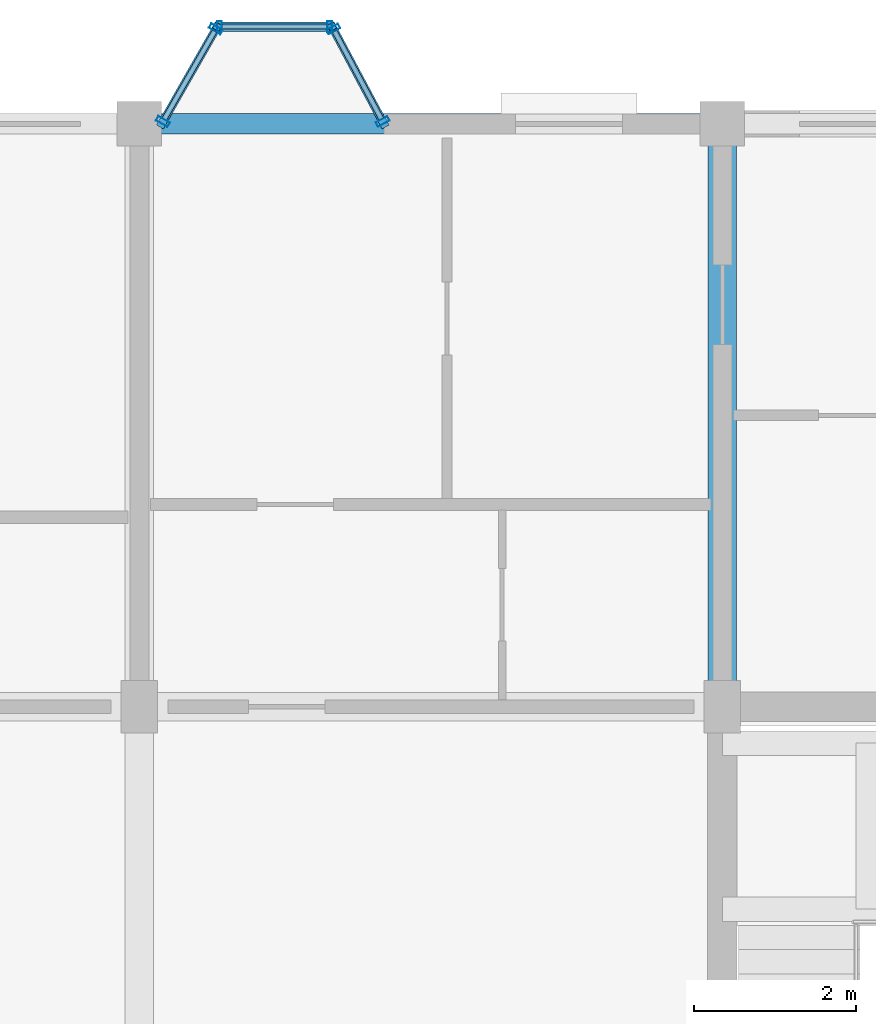
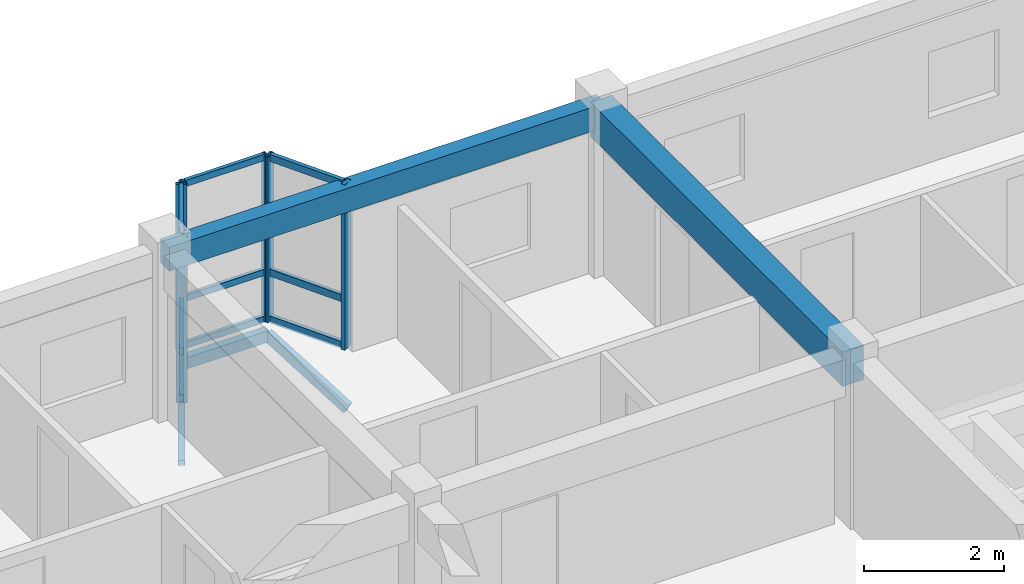
# One storey, part 42 of 77: 18 members, 2 beams, 3 elements without a shape of their own.
"""IFC4 building model written with IfcOpenShell, lengths in metres."""

from ifc_helpers import new_model, si_unit, direction, frame, origin, origin_2d, place, context, subcontext, project, spatial, rectangle, hollow_rectangle, extrude, material, layer, layer_set, material_profile, profile_set, type_object, element, aggregate, save


model = new_model("IFC4")

# Units and contexts
model_context = context("Model", 3, precision=1e-05, world=origin(), true_north=direction((0.0, 1.0)))
body_context = subcontext(model_context, "Body", "Model", "MODEL_VIEW")
ifc_project = project(units=[si_unit("LENGTHUNIT", "METRE"), si_unit("AREAUNIT", "SQUARE_METRE"), si_unit("VOLUMEUNIT", "CUBIC_METRE"), si_unit("PLANEANGLEUNIT", "RADIAN"), si_unit("MASSUNIT", "GRAM", prefix="KILO"), si_unit("THERMODYNAMICTEMPERATUREUNIT", "KELVIN"), si_unit("POWERUNIT", "WATT")], contexts=[model_context])

# Site, building, storey
site_placement = place(None, origin())
site = spatial("IfcSite", under=ifc_project, at=site_placement, CompositionType="ELEMENT")
building_placement = place(site_placement, origin())
building = spatial("IfcBuilding", under=site, at=building_placement, Name="Tavuni Mirador Residences", CompositionType="ELEMENT")
storey_placement = place(building_placement, frame((0.0, 0.0, 17.10009765625)))
storey = spatial("IfcBuildingStorey", under=building, at=storey_placement, Name="L05", CompositionType="ELEMENT", Elevation=17.10009765625)

# Beams
ifc_material_1 = material(Name="Precast concrete C40/50", Category="concrete")
ifc_material_profile_1 = material_profile(ifc_material_1, rectangle(XDim=0.35009765625, YDim=0.60009765625, at=origin_2d()), Name="PC 350x600", Category="concrete")
ifc_profile_set_1 = profile_set([ifc_material_profile_1], Name="Precast concrete C40/50")
beam_type_1 = type_object("IfcBeamType", Name="BT-B600", PredefinedType="BEAM", material=ifc_profile_set_1)
beam_1_placement = place(storey_placement, frame((25.199951171875, 165.60009765625, 2.5849609375), z_axis=(0.0, 1.0, 0.0), x_axis=(-1.0, 0.0, 0.0)))
element("IfcBeam", 1, at=beam_1_placement, inside=storey, type_object=beam_type_1, Name="BMY-BLK-C-L05-02-03", PredefinedType="BEAM", context=body_context, shape_type="SweptSolid", body=[
    extrude(rectangle(XDim=0.35009765625, YDim=0.60009765625, at=origin_2d()), origin(), (0.0, 0.0, 1.0), 7.199951171875),
])
ifc_material_profile_2 = material_profile(ifc_material_1, rectangle(XDim=0.25, YDim=0.419921875, at=origin_2d()), Name="PC 250x420", Category="concrete")
ifc_profile_set_2 = profile_set([ifc_material_profile_2], Name="Precast concrete C40/50")
beam_type_2 = type_object("IfcBeamType", Name="BT-SP420", PredefinedType="SPANDREL", material=ifc_profile_set_2)
beam_2_placement = place(storey_placement, frame((18.0, 172.800048828125, 2.6748046875), z_axis=(1.0, 0.0, 0.0), x_axis=(0.0, 1.0, 0.0)))
element("IfcBeam", 2, at=beam_2_placement, inside=storey, type_object=beam_type_2, Name="BMX-BLK-C-L05-01-04", PredefinedType="SPANDREL", context=body_context, shape_type="SweptSolid", body=[
    extrude(rectangle(XDim=0.25, YDim=0.419921875, at=origin_2d()), origin(), (0.0, 0.0, 1.0), 7.199951171875),
])

# Curtain wall, members
ifc_material_2 = material(Name="Anodised aluminium", Category="aluminium")
ifc_layer_1 = layer(ifc_material_2, 0.175048828125, Name="Anodised aluminium", Category="aluminium")
ifc_layer_set_1 = layer_set([ifc_layer_1], Name="Anodised aluminium")
curtain_wall_type_1 = type_object("IfcCurtainWallType", Name="CWT-MIR-C", PredefinedType="NOTDEFINED", material=ifc_layer_set_1)
curtain_wall_1_placement = place(storey_placement, origin())
curtain_wall_1 = element("IfcCurtainWall", 3, at=curtain_wall_1_placement, inside=storey, type_object=curtain_wall_type_1, Name="CW-MIR-C-N1-L05-MF", PredefinedType="NOTDEFINED")
ifc_material_profile_3 = material_profile(ifc_material_2, hollow_rectangle(XDim=0.06005859375, YDim=0.139892578125, WallThickness=0.00390625, at=origin_2d()), Name="ALU 60x140x4.0", Category="aluminium")
ifc_profile_set_3 = profile_set([ifc_material_profile_3], Name="Anodised aluminium")
member_type_1 = type_object("IfcMemberType", Name="CWM-140", PredefinedType="MULLION", material=ifc_profile_set_3)
member_1_placement = place(storey_placement, frame((20.35009765625, 174.0, 0.0), z_axis=(0.0, 0.0, 1.0), x_axis=(-1.0, 0.0, 0.0)))
member_1 = element("IfcMember", 4, at=member_1_placement, type_object=member_type_1, Name="CW-03 mullion 1", PredefinedType="MULLION", context=body_context, shape_type="SweptSolid", body=[
    extrude(hollow_rectangle(XDim=0.06005859375, YDim=0.139892578125, WallThickness=0.00390625, at=origin_2d()), origin(), (0.0, 0.0, 1.0), 2.885009765625),
])
member_2_placement = place(storey_placement, frame((18.989990234375, 174.0, 0.0), z_axis=(0.0, 0.0, 1.0), x_axis=(-1.0, 0.0, 0.0)))
member_2 = element("IfcMember", 5, at=member_2_placement, type_object=member_type_1, Name="CW-03 mullion 2", PredefinedType="MULLION", context=body_context, shape_type="SweptSolid", body=[
    extrude(hollow_rectangle(XDim=0.06005859375, YDim=0.139892578125, WallThickness=0.00390625, at=origin_2d()), origin(), (0.0, 0.0, 1.0), 2.885009765625),
])

ifc_layer_2 = layer(ifc_material_2, 0.14990234375, Name="Anodised aluminium", Category="aluminium")
ifc_layer_set_2 = layer_set([ifc_layer_2], Name="Anodised aluminium")
curtain_wall_type_2 = type_object("IfcCurtainWallType", Name="CWT-MIR-B", PredefinedType="NOTDEFINED", material=ifc_layer_set_2)
curtain_wall_2_placement = place(storey_placement, origin())
curtain_wall_2 = element("IfcCurtainWall", 6, at=curtain_wall_2_placement, inside=storey, type_object=curtain_wall_type_2, Name="CW-MIR-C-N1-L05-M1", PredefinedType="NOTDEFINED")
ifc_material_profile_4 = material_profile(ifc_material_2, hollow_rectangle(XDim=0.06494140625, YDim=0.1650390625, WallThickness=0.00439453125, at=origin_2d()), Name="ALU 65x165x4.5", Category="aluminium")
ifc_profile_set_4 = profile_set([ifc_material_profile_4], Name="Anodised aluminium")
member_type_2 = type_object("IfcMemberType", Name="CWM-165", PredefinedType="MULLION", material=ifc_profile_set_4)
member_3_placement = place(storey_placement, frame((21.004638671875, 172.82861328125, 0.0), z_axis=(0.0, 0.0, 1.0), x_axis=(-0.470588235296, 0.882352941175, 0.0)))
member_3 = element("IfcMember", 7, at=member_3_placement, type_object=member_type_2, Name="CW-02 mullion 1", PredefinedType="MULLION", context=body_context, shape_type="SweptSolid", body=[
    extrude(hollow_rectangle(XDim=0.06494140625, YDim=0.1650390625, WallThickness=0.00439453125, at=origin_2d()), origin(), (0.0, 0.0, 1.0), 2.885009765625),
])
member_4_placement = place(storey_placement, frame((20.395263671875, 173.971435546875, 0.0), z_axis=(0.0, 0.0, 1.0), x_axis=(-0.470588235296, 0.882352941175, 0.0)))
member_4 = element("IfcMember", 8, at=member_4_placement, type_object=member_type_2, Name="CW-02 mullion 2", PredefinedType="MULLION", context=body_context, shape_type="SweptSolid", body=[
    extrude(hollow_rectangle(XDim=0.06494140625, YDim=0.1650390625, WallThickness=0.00439453125, at=origin_2d()), origin(), (0.0, 0.0, 1.0), 2.885009765625),
])

ifc_layer_3 = layer(ifc_material_2, 0.159912109375, Name="Anodised aluminium", Category="aluminium")
ifc_layer_set_3 = layer_set([ifc_layer_3], Name="Anodised aluminium")
curtain_wall_type_3 = type_object("IfcCurtainWallType", Name="CWT-MIR-D", PredefinedType="NOTDEFINED", material=ifc_layer_set_3)
curtain_wall_3_placement = place(storey_placement, origin())
curtain_wall_3 = element("IfcCurtainWall", 9, at=curtain_wall_3_placement, inside=storey, type_object=curtain_wall_type_3, Name="CW-MIR-C-N1-L05-M2", PredefinedType="NOTDEFINED")
member_5_placement = place(storey_placement, frame((18.94384765625, 173.9716796875, 0.0), z_axis=(0.0, 0.0, 1.0), x_axis=(-0.495749192217, -0.868465738194, 0.0)))
member_5 = element("IfcMember", 10, at=member_5_placement, type_object=member_type_2, Name="CW-04 mullion 1", PredefinedType="MULLION", context=body_context, shape_type="SweptSolid", body=[
    extrude(hollow_rectangle(XDim=0.06494140625, YDim=0.1650390625, WallThickness=0.00439453125, at=origin_2d()), origin(), (0.0, 0.0, 1.0), 2.885009765625),
])
member_6_placement = place(storey_placement, frame((18.291015625, 172.828125, 0.0), z_axis=(0.0, 0.0, 1.0), x_axis=(-0.495749192217, -0.868465738194, 0.0)))
member_6 = element("IfcMember", 11, at=member_6_placement, type_object=member_type_2, Name="CW-04 mullion 2", PredefinedType="MULLION", context=body_context, shape_type="SweptSolid", body=[
    extrude(hollow_rectangle(XDim=0.06494140625, YDim=0.1650390625, WallThickness=0.00439453125, at=origin_2d()), origin(), (0.0, 0.0, 1.0), 2.885009765625),
])

# Member
ifc_material_profile_5 = material_profile(ifc_material_2, hollow_rectangle(XDim=0.06005859375, YDim=0.110107421875, WallThickness=0.00390625, at=origin_2d()), Name="ALU 60x110x4.0", Category="aluminium")
ifc_profile_set_5 = profile_set([ifc_material_profile_5], Name="Anodised aluminium")
member_type_3 = type_object("IfcMemberType", Name="CWT-110", PredefinedType="USERDEFINED", material=ifc_profile_set_5)
member_7_placement = place(storey_placement, frame((20.320068359375, 174.0, 0.02978515625), z_axis=(-1.0, 0.0, 0.0), x_axis=(0.0, -1.0, 0.0)))
member_7 = element("IfcMember", 12, at=member_7_placement, type_object=member_type_3, Name="CW-03 transom 1.1", ObjectType="TRANSOM", PredefinedType="USERDEFINED", context=body_context, shape_type="SweptSolid", body=[
    extrude(hollow_rectangle(XDim=0.06005859375, YDim=0.110107421875, WallThickness=0.00390625, at=origin_2d()), origin(), (0.0, 0.0, 1.0), 1.300048828125),
])

member_8_placement = place(storey_placement, frame((20.320068359375, 174.0, 0.849853515625), z_axis=(-1.0, 0.0, 0.0), x_axis=(0.0, -1.0, 0.0)))
member_8 = element("IfcMember", 13, at=member_8_placement, type_object=member_type_3, Name="CW-03 transom 1.2", ObjectType="TRANSOM", PredefinedType="USERDEFINED", context=body_context, shape_type="SweptSolid", body=[
    extrude(hollow_rectangle(XDim=0.06005859375, YDim=0.110107421875, WallThickness=0.00390625, at=origin_2d()), origin(), (0.0, 0.0, 1.0), 1.300048828125),
])

member_9_placement = place(storey_placement, frame((20.320068359375, 174.0, 2.85498046875), z_axis=(-1.0, 0.0, 0.0), x_axis=(0.0, -1.0, 0.0)))
member_9 = element("IfcMember", 14, at=member_9_placement, type_object=member_type_3, Name="CW-03 transom 1.3", ObjectType="TRANSOM", PredefinedType="USERDEFINED", context=body_context, shape_type="SweptSolid", body=[
    extrude(hollow_rectangle(XDim=0.06005859375, YDim=0.110107421875, WallThickness=0.00390625, at=origin_2d()), origin(), (0.0, 0.0, 1.0), 1.300048828125),
])

aggregate(curtain_wall_1, [member_1, member_2, member_7, member_8, member_9])

ifc_material_profile_6 = material_profile(ifc_material_2, hollow_rectangle(XDim=0.06494140625, YDim=0.125, WallThickness=0.00439453125, at=origin_2d()), Name="ALU 65x125x4.5", Category="aluminium")
ifc_profile_set_6 = profile_set([ifc_material_profile_6], Name="Anodised aluminium")
member_type_4 = type_object("IfcMemberType", Name="CWT-125", PredefinedType="USERDEFINED", material=ifc_profile_set_6)
member_10_placement = place(storey_placement, frame((20.989501953125, 172.857421875, 0.032470703125), z_axis=(-0.470639747922, 0.882325465843, 0.0), x_axis=(-0.882325465843, -0.470639747922, 0.0)))
member_10 = element("IfcMember", 15, at=member_10_placement, type_object=member_type_4, Name="CW-02 transom 1.1", ObjectType="TRANSOM", PredefinedType="USERDEFINED", context=body_context, shape_type="SweptSolid", body=[
    extrude(hollow_rectangle(XDim=0.06494140625, YDim=0.125, WallThickness=0.00439453125, at=origin_2d()), origin(), (0.0, 0.0, 1.0), 1.22998046875),
])

member_11_placement = place(storey_placement, frame((20.989501953125, 172.857421875, 0.849853515625), z_axis=(-0.470639747922, 0.882325465843, 0.0), x_axis=(-0.882325465843, -0.470639747922, 0.0)))
member_11 = element("IfcMember", 16, at=member_11_placement, type_object=member_type_4, Name="CW-02 transom 1.2", ObjectType="TRANSOM", PredefinedType="USERDEFINED", context=body_context, shape_type="SweptSolid", body=[
    extrude(hollow_rectangle(XDim=0.06494140625, YDim=0.125, WallThickness=0.00439453125, at=origin_2d()), origin(), (0.0, 0.0, 1.0), 1.22998046875),
])

member_12_placement = place(storey_placement, frame((20.989501953125, 172.857421875, 2.852294921875), z_axis=(-0.470639747922, 0.882325465843, 0.0), x_axis=(-0.882325465843, -0.470639747922, 0.0)))
member_12 = element("IfcMember", 17, at=member_12_placement, type_object=member_type_4, Name="CW-02 transom 1.3", ObjectType="TRANSOM", PredefinedType="USERDEFINED", context=body_context, shape_type="SweptSolid", body=[
    extrude(hollow_rectangle(XDim=0.06494140625, YDim=0.125, WallThickness=0.00439453125, at=origin_2d()), origin(), (0.0, 0.0, 1.0), 1.22998046875),
])

aggregate(curtain_wall_2, [member_3, member_4, member_10, member_11, member_12])

member_13_placement = place(storey_placement, frame((18.927734375, 173.943603515625, 0.032470703125), z_axis=(-0.495760837306, -0.868459090685, 0.0), x_axis=(0.868459090685, -0.495760837306, 0.0)))
member_13 = element("IfcMember", 18, at=member_13_placement, type_object=member_type_4, Name="CW-04 transom 1.1", ObjectType="TRANSOM", PredefinedType="USERDEFINED", context=body_context, shape_type="SweptSolid", body=[
    extrude(hollow_rectangle(XDim=0.06494140625, YDim=0.125, WallThickness=0.00439453125, at=origin_2d()), origin(), (0.0, 0.0, 1.0), 1.251708984375),
])

member_14_placement = place(storey_placement, frame((18.927734375, 173.943603515625, 0.849853515625), z_axis=(-0.495760837306, -0.868459090685, 0.0), x_axis=(0.868459090685, -0.495760837306, 0.0)))
member_14 = element("IfcMember", 19, at=member_14_placement, type_object=member_type_4, Name="CW-04 transom 1.2", ObjectType="TRANSOM", PredefinedType="USERDEFINED", context=body_context, shape_type="SweptSolid", body=[
    extrude(hollow_rectangle(XDim=0.06494140625, YDim=0.125, WallThickness=0.00439453125, at=origin_2d()), origin(), (0.0, 0.0, 1.0), 1.251708984375),
])

member_15_placement = place(storey_placement, frame((18.927734375, 173.943603515625, 2.852294921875), z_axis=(-0.495760837306, -0.868459090685, 0.0), x_axis=(0.868459090685, -0.495760837306, 0.0)))
member_15 = element("IfcMember", 20, at=member_15_placement, type_object=member_type_4, Name="CW-04 transom 1.3", ObjectType="TRANSOM", PredefinedType="USERDEFINED", context=body_context, shape_type="SweptSolid", body=[
    extrude(hollow_rectangle(XDim=0.06494140625, YDim=0.125, WallThickness=0.00439453125, at=origin_2d()), origin(), (0.0, 0.0, 1.0), 1.251708984375),
])

aggregate(curtain_wall_3, [member_5, member_6, member_13, member_14, member_15])

# Members
ifc_material_3 = material(Name="Structural steel S355", Category="steel")
ifc_material_profile_7 = material_profile(ifc_material_3, hollow_rectangle(XDim=0.10009765625, YDim=0.179931640625, WallThickness=0.008056640625, at=origin_2d()), Name="RHS 180x100x8.0", Category="steel")
ifc_profile_set_7 = profile_set([ifc_material_profile_7], Name="Structural steel S355")
member_type_5 = type_object("IfcMemberType", Name="MT-BR-RHS180", PredefinedType="BRACE", material=ifc_profile_set_7)
member_16_placement = place(storey_placement, frame((18.27490234375, 172.800048828125, -1.050048828125), z_axis=(0.431095380922, 0.755108267011, 0.493931450344), x_axis=(-0.868438794398, 0.495796390047, 0.0)))
element("IfcMember", 21, at=member_16_placement, inside=storey, type_object=member_type_5, Name="MBRK-MIR-C-N1-L05-1", PredefinedType="BRACE", context=body_context, shape_type="SweptSolid", body=[
    extrude(hollow_rectangle(XDim=0.10009765625, YDim=0.179931640625, WallThickness=0.008056640625, at=origin_2d()), origin(), (0.0, 0.0, 1.0), 1.589111328125),
])
member_17_placement = place(storey_placement, frame((21.02001953125, 172.800048828125, -1.050048828125), z_axis=(-0.407660536563, 0.76416915988, 0.499858361956), x_axis=(-0.882303244255, -0.470681405175, 0.0)))
element("IfcMember", 22, at=member_17_placement, inside=storey, type_object=member_type_5, Name="MBRK-MIR-C-N1-L05-2", PredefinedType="BRACE", context=body_context, shape_type="SweptSolid", body=[
    extrude(hollow_rectangle(XDim=0.10009765625, YDim=0.179931640625, WallThickness=0.008056640625, at=origin_2d()), origin(), (0.0, 0.0, 1.0), 1.5703125),
])
ifc_material_profile_8 = material_profile(ifc_material_3, hollow_rectangle(XDim=0.1201171875, YDim=0.199951171875, WallThickness=0.010009765625, at=origin_2d()), Name="RHS 200x120x10.0", Category="steel")
ifc_profile_set_8 = profile_set([ifc_material_profile_8], Name="Structural steel S355")
member_type_6 = type_object("IfcMemberType", Name="MT-ST-RHS200", PredefinedType="STRUT", material=ifc_profile_set_8)
member_18_placement = place(storey_placement, frame((18.9599609375, 174.0, -0.26513671875), z_axis=(1.0, 0.0, 0.0), x_axis=(0.0, 1.0, 0.0)))
element("IfcMember", 23, at=member_18_placement, inside=storey, type_object=member_type_6, Name="MRIM-MIR-C-N1-L05", PredefinedType="STRUT", context=body_context, shape_type="SweptSolid", body=[
    extrude(hollow_rectangle(XDim=0.1201171875, YDim=0.199951171875, WallThickness=0.010009765625, at=origin_2d()), origin(), (0.0, 0.0, 1.0), 1.419921875),
])

save(model, "model.ifc")
